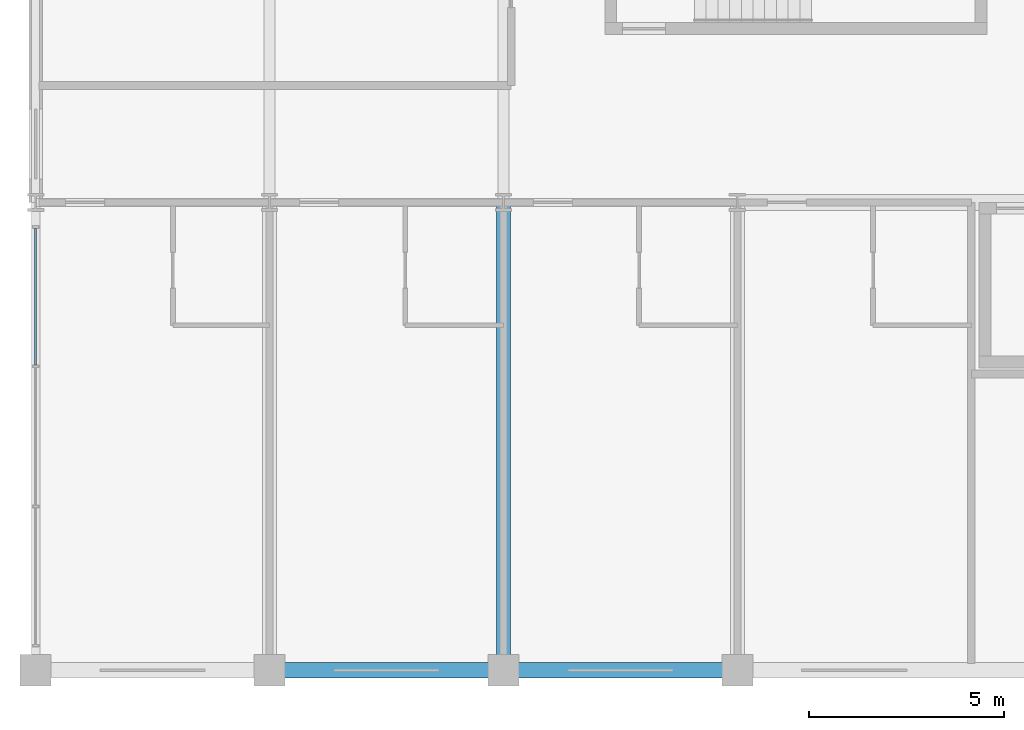
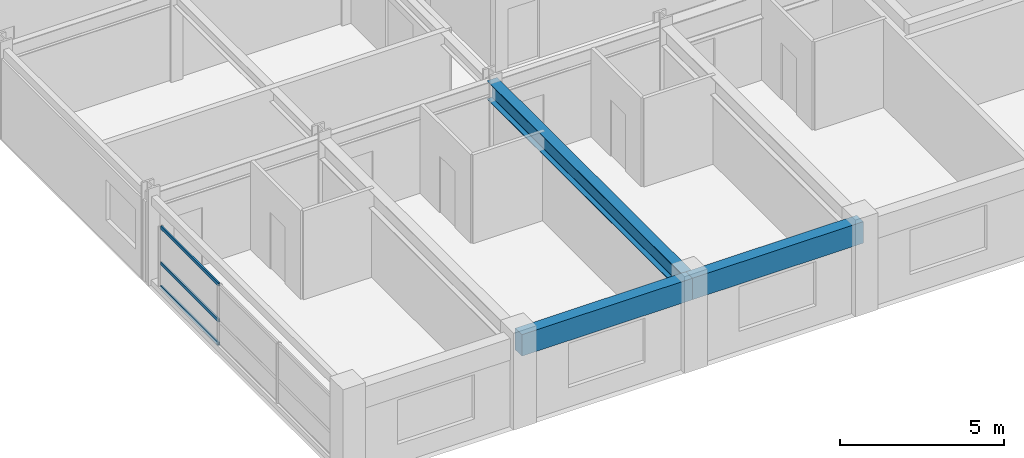
# One storey, part 3 of 26: 3 beams, 3 members, 1 element without a shape of its own.
"""IFC4 building model written with IfcOpenShell, lengths in metres."""

import ifcopenshell
import ifcopenshell.guid

model = None  # the IFC model being written
_history = None  # IfcOwnerHistory: only IFC2X3 demands one
_inside = {}  # id of a spatial element -> (the spatial element, [elements in it])
_under = {}  # id of a project, library or spatial element -> (it, [spatial elements below it])
_declared = {}  # id of a project -> (the project, [libraries it declares])
_typed = {}  # id of a type object -> (the type object, [elements of that type])
_made_of = {}  # id of a material, layer set ... -> (it, [elements and type objects made of it])


def new_model(schema):
    """Start an empty IFC model of exactly this schema.

    Asked for "IFC4X3", IfcOpenShell would pick the latest addendum, in which some entities
    have other attributes; the version numbers below select the first issue.
    IFC2X3 requires an IfcOwnerHistory on every rooted entity: one is made here for all.
    """
    global model, _history
    if schema == "IFC4X3":
        model = ifcopenshell.file(schema_version=(4, 3, 0, 0))
    else:
        model = ifcopenshell.file(schema=schema)
    _inside.clear()
    _under.clear()
    _declared.clear()
    _typed.clear()
    _made_of.clear()
    _history = None
    if model.schema == "IFC2X3":
        org = make("IfcOrganization", Name="unknown")
        user = make(
            "IfcPersonAndOrganization",
            ThePerson=make("IfcPerson", FamilyName="unknown"),
            TheOrganization=org,
        )
        app = make(
            "IfcApplication",
            ApplicationDeveloper=org,
            Version="unknown",
            ApplicationFullName="unknown",
            ApplicationIdentifier="unknown",
        )
        _history = make(
            "IfcOwnerHistory",
            OwningUser=user,
            OwningApplication=app,
            ChangeAction="ADDED",
            CreationDate=0,
        )
    return model


def make(cls, **values):
    """One entity of the class cls with the attributes given. An attribute that is None is left unset."""
    return model.create_entity(
        cls, **{name: value for name, value in values.items() if value is not None}
    )


def rooted(cls, **values):
    """An entity with a GlobalId (a new one), such as an element, a storey or a relation."""
    return make(cls, GlobalId=ifcopenshell.guid.new(), OwnerHistory=_history, **values)


def si_unit(unit_type, name, prefix=None):
    """IfcSIUnit, for example si_unit("LENGTHUNIT", "METRE", prefix="MILLI")."""
    return make("IfcSIUnit", UnitType=unit_type, Prefix=prefix, Name=name)


def assignment(units):
    """IfcUnitAssignment: the units of a project."""
    return None if units is None else make("IfcUnitAssignment", Units=units)


def point(xyz):
    """IfcCartesianPoint."""
    return None if xyz is None else make("IfcCartesianPoint", Coordinates=xyz)


def direction(xyz):
    """IfcDirection."""
    return None if xyz is None else make("IfcDirection", DirectionRatios=xyz)


def frame(location, z_axis=None, x_axis=None):
    """IfcAxis2Placement3D, a coordinate frame: its origin and axes. An axis left out is left unset."""
    return make(
        "IfcAxis2Placement3D",
        Location=point(location),
        Axis=direction(z_axis),
        RefDirection=direction(x_axis),
    )


def frame_2d(location, x_axis=None):
    """IfcAxis2Placement2D, a coordinate frame in the plane: its origin and x axis."""
    return make(
        "IfcAxis2Placement2D", Location=point(location), RefDirection=direction(x_axis)
    )


def origin():
    """The frame at (0, 0, 0) with its axes left unset."""
    return frame((0.0, 0.0, 0.0))


def origin_2d():
    """The frame at (0, 0) in the plane with its x axis left unset."""
    return frame_2d((0.0, 0.0))


def place(relative_to, where):
    """IfcLocalPlacement: puts the frame where relative to a parent placement (None: the world)."""
    return make(
        "IfcLocalPlacement", PlacementRelTo=relative_to, RelativePlacement=where
    )


def context(
    kind, dimensions, precision=None, world=None, true_north=None, identifier=None
):
    """IfcGeometricRepresentationContext, for example the 3D "Model" context."""
    return make(
        "IfcGeometricRepresentationContext",
        ContextIdentifier=identifier,
        ContextType=kind,
        CoordinateSpaceDimension=dimensions,
        Precision=precision,
        WorldCoordinateSystem=world,
        TrueNorth=true_north,
    )


def subcontext(parent, identifier, kind, view, scale=None):
    """IfcGeometricRepresentationSubContext, for example "Body" below "Model"."""
    return make(
        "IfcGeometricRepresentationSubContext",
        ContextIdentifier=identifier,
        ContextType=kind,
        ParentContext=parent,
        TargetScale=scale,
        TargetView=view,
    )


def project(units=None, contexts=None):
    """IfcProject with its units and contexts."""
    return rooted(
        "IfcProject",
        Name="project",
        RepresentationContexts=contexts,
        UnitsInContext=assignment(units),
    )


def spatial(cls, under=None, at=None, **own):
    """A site, building, storey or space (cls), placed at a placement, below another one or the project."""
    s = rooted(cls, ObjectPlacement=at, **own)
    if under is not None:
        _under.setdefault(under.id(), (under, []))[1].append(s)
    return s


def profile(cls, at=None, kind="AREA", **sizes):
    """A parametric profile (cls). Its sizes go by their IFC names, for example OverallWidth=200.0."""
    return make(cls, ProfileType=kind, Position=at, **sizes)


def rectangle(**sizes):
    """IfcRectangleProfileDef."""
    return profile("IfcRectangleProfileDef", **sizes)


def hollow_rectangle(**sizes):
    """IfcRectangleHollowProfileDef."""
    return profile("IfcRectangleHollowProfileDef", **sizes)


def i_section(**sizes):
    """IfcIShapeProfileDef."""
    return profile("IfcIShapeProfileDef", **sizes)


def extrude(swept, where, along, depth):
    """IfcExtrudedAreaSolid: the profile swept, set in the frame where, extruded along a direction by depth."""
    return make(
        "IfcExtrudedAreaSolid",
        SweptArea=swept,
        Position=where,
        ExtrudedDirection=direction(along),
        Depth=depth,
    )


def shape(context_of_items, identifier, shape_type, items):
    """IfcShapeRepresentation: the items that make up one representation, for example the "Body"."""
    return make(
        "IfcShapeRepresentation",
        ContextOfItems=context_of_items,
        RepresentationIdentifier=identifier,
        RepresentationType=shape_type,
        Items=items,
    )


def material(Name=None, Category=None):
    """IfcMaterial."""
    return make("IfcMaterial", Name=Name, Category=Category)


def material_profile(
    of_material, cross_section, Name=None, Category=None, Priority=None
):
    """IfcMaterialProfile: a cross section and its material."""
    return make(
        "IfcMaterialProfile",
        Name=Name,
        Material=of_material,
        Profile=cross_section,
        Priority=Priority,
        Category=Category,
    )


def profile_set(profiles, Name=None, composite=None):
    """IfcMaterialProfileSet."""
    return make(
        "IfcMaterialProfileSet",
        Name=Name,
        MaterialProfiles=profiles,
        CompositeProfile=composite,
    )


def made_of(thing, what):
    """Note that an element or type object is made of a material, layer set ...; save() writes the relation."""
    if what is not None:
        _made_of.setdefault(what.id(), (what, []))[1].append(thing)
    return thing


def type_object(cls, material=None, **own):
    """A type object (cls), such as IfcWallType, which elements share."""
    return made_of(rooted(cls, **own), material)


def element(
    cls,
    number,
    at=None,
    inside=None,
    cuts=None,
    type_object=None,
    material=None,
    context=None,
    identifier="Body",
    shape_type=None,
    held_by="IfcProductDefinitionShape",
    body=None,
    shapes=None,
    **own,
):
    """One element of the class cls, such as IfcWall. Its Tag is "e" and its number.

    at: its placement. inside: the storey or other place that contains it. cuts: it is an
    opening in that element (IfcRelVoidsElement). A single representation is given by context,
    identifier, shape_type and body (its items); several are given by shapes. held_by: the class
    of the entity that holds the representations. save() writes the other relations.
    """
    e = rooted(cls, Tag="e%d" % number, ObjectPlacement=at, **own)
    if body is not None:
        shapes = [shape(context, identifier, shape_type, body)]
    if shapes is not None:
        e.Representation = make(held_by, Representations=shapes)
    if inside is not None:
        _inside.setdefault(inside.id(), (inside, []))[1].append(e)
    if cuts is not None:
        rooted(
            "IfcRelVoidsElement", RelatingBuildingElement=cuts, RelatedOpeningElement=e
        )
    if type_object is not None:
        _typed.setdefault(type_object.id(), (type_object, []))[1].append(e)
    return made_of(e, material)


def aggregate(whole, parts):
    """IfcRelAggregates: a whole, such as a stair, and the parts it consists of."""
    return rooted("IfcRelAggregates", RelatingObject=whole, RelatedObjects=parts)


def save(model, path):
    """Write the relations noted so far, then the file.

    IfcRelAggregates (storeys below a building ...), IfcRelContainedInSpatialStructure (elements
    in a storey), IfcRelDefinesByType, IfcRelAssociatesMaterial and IfcRelDeclares: one each for
    every whole, place, type object, material and project.
    """
    for whole, parts in _under.values():
        aggregate(whole, parts)
    for where, things in _inside.values():
        rooted(
            "IfcRelContainedInSpatialStructure",
            RelatedElements=things,
            RelatingStructure=where,
        )
    for kind, things in _typed.values():
        rooted("IfcRelDefinesByType", RelatedObjects=things, RelatingType=kind)
    for what, things in _made_of.values():
        rooted("IfcRelAssociatesMaterial", RelatedObjects=things, RelatingMaterial=what)
    for by, libraries in _declared.values():
        rooted("IfcRelDeclares", RelatingContext=by, RelatedDefinitions=libraries)
    model.write(path)


model = new_model("IFC4")

# Units and contexts
model_context = context("Model", 3, precision=1e-05, world=origin(), true_north=direction((0.0, 1.0)))
body_context = subcontext(model_context, "Body", "Model", "MODEL_VIEW")
ifc_project = project(units=[si_unit("LENGTHUNIT", "METRE"), si_unit("AREAUNIT", "SQUARE_METRE"), si_unit("VOLUMEUNIT", "CUBIC_METRE"), si_unit("PLANEANGLEUNIT", "RADIAN"), si_unit("MASSUNIT", "GRAM", prefix="KILO")], contexts=[model_context])

# Site, building, storey
site_placement = place(None, origin())
site = spatial("IfcSite", under=ifc_project, at=site_placement, CompositionType="ELEMENT")
building_placement = place(site_placement, origin())
building = spatial("IfcBuilding", under=site, at=building_placement, Name="Kaldorvane Square Convention Centre", CompositionType="ELEMENT")
storey_placement = place(building_placement, frame((0.0, 0.0, 42.0)))
storey = spatial("IfcBuildingStorey", under=building, at=storey_placement, Name="L09", CompositionType="ELEMENT", Elevation=42.0)

# Beams
ifc_material_1 = material(Name="Steel ASTM A992 Gr. 50", Category="steel")
ifc_material_profile_1 = material_profile(ifc_material_1, i_section(OverallWidth=0.354705810546875, OverallDepth=0.69549560546875, WebThickness=0.0153961181640625, FlangeThickness=0.0251007080078125, FilletRadius=0.01519775390625, at=origin_2d()), Name="W27X146")
ifc_profile_set_1 = profile_set([ifc_material_profile_1], Name="Steel ASTM A992 Gr. 50")
beam_type_1 = type_object("IfcBeamType", Name="BM-GR-W27X146", PredefinedType="BEAM", material=ifc_profile_set_1)
beam_placement = place(storey_placement, frame((36.0, 84.0, 2.93829345703125), z_axis=(0.0, 1.0, 0.0), x_axis=(-1.0, 0.0, 0.0)))
element("IfcBeam", 1, at=beam_placement, inside=storey, type_object=beam_type_1, Name="Transverse Girder (L09)", PredefinedType="BEAM", context=body_context, shape_type="SweptSolid", body=[
    extrude(i_section(OverallWidth=0.354705810546875, OverallDepth=0.69549560546875, WebThickness=0.0153961181640625, FlangeThickness=0.0251007080078125, FilletRadius=0.01519775390625, at=origin_2d()), origin(), (0.0, 0.0, 1.0), 12.0),
])
ifc_material_2 = material(Name="Concrete f'c = 42 MPa (Normalweight)", Category="concrete")
ifc_material_profile_2 = material_profile(ifc_material_2, rectangle(XDim=0.399993896484375, YDim=0.8000030517578125, at=origin_2d()), Name="RCSP800X400")
ifc_profile_set_2 = profile_set([ifc_material_profile_2], Name="Concrete f'c = 42 MPa (Normalweight)")
beam_type_2 = type_object("IfcBeamType", Name="BM-SP-RC800", PredefinedType="SPANDREL", material=ifc_profile_set_2)
for number, where, z_axis, x_axis, name in (
    (2, (30.0, 84.0, 2.8860015869140625), (1.0, 0.0, 0.0), (0.0, 1.0, 0.0), "Perimeter Spandrel (L09)"),
    (3, (36.0, 84.0, 2.8860015869140625), (1.0, 0.0, 0.0), (0.0, 1.0, 0.0), "Perimeter Spandrel (L09)"),
):
    element("IfcBeam", number, at=place(storey_placement, frame(where, z_axis=z_axis, x_axis=x_axis)), inside=storey, type_object=beam_type_2, Name=name, PredefinedType="SPANDREL", context=body_context, shape_type="SweptSolid", body=[
        extrude(rectangle(XDim=0.399993896484375, YDim=0.8000030517578125, at=origin_2d()), origin(), (0.0, 0.0, 1.0), 6.0),
    ])

# Curtain wall, members
ifc_material_3 = material(Name="Anodized Aluminum and Low-E Insulated Glazing", Category="aluminium")
curtain_wall_type = type_object("IfcCurtainWallType", Name="CW-UNI-HTL-B", PredefinedType="USERDEFINED", material=ifc_material_3)
curtain_wall_placement = place(storey_placement, origin())
curtain_wall = element("IfcCurtainWall", 4, at=curtain_wall_placement, inside=storey, type_object=curtain_wall_type, Name="Curtain Wall CW-11 (L09)", ObjectType="UNITISED GLAZING", PredefinedType="USERDEFINED")
ifc_material_profile_3 = material_profile(ifc_material_3, hollow_rectangle(XDim=0.05499267578125, YDim=0.1199951171875, WallThickness=0.0030059814453125, at=origin_2d()), Name="CWT-120X55")
ifc_profile_set_3 = profile_set([ifc_material_profile_3], Name="Anodized Aluminum and Low-E Insulated Glazing")
member_type = type_object("IfcMemberType", Name="CW-TRN-120", PredefinedType="USERDEFINED", material=ifc_profile_set_3)
member_1_placement = place(storey_placement, frame((24.0, 95.33999633789062, 0.1775054931640625), z_axis=(0.0, -1.0, 0.0), x_axis=(1.0, 0.0, 0.0)))
member_1 = element("IfcMember", 5, at=member_1_placement, type_object=member_type, Name="CW-11 transom 1.1", ObjectType="TRANSOM", PredefinedType="USERDEFINED", context=body_context, shape_type="SweptSolid", body=[
    extrude(hollow_rectangle(XDim=0.05499267578125, YDim=0.1199951171875, WallThickness=0.0030059814453125, at=origin_2d()), origin(), (0.0, 0.0, 1.0), 3.5099945068359375),
])
member_2_placement = place(storey_placement, frame((24.0, 95.33999633789062, 1.0500030517578125), z_axis=(0.0, -1.0, 0.0), x_axis=(1.0, 0.0, 0.0)))
member_2 = element("IfcMember", 6, at=member_2_placement, type_object=member_type, Name="CW-11 transom 1.2", ObjectType="TRANSOM", PredefinedType="USERDEFINED", context=body_context, shape_type="SweptSolid", body=[
    extrude(hollow_rectangle(XDim=0.05499267578125, YDim=0.1199951171875, WallThickness=0.0030059814453125, at=origin_2d()), origin(), (0.0, 0.0, 1.0), 3.5099945068359375),
])
member_3_placement = place(storey_placement, frame((24.0, 95.33999633789062, 2.38250732421875), z_axis=(0.0, -1.0, 0.0), x_axis=(1.0, 0.0, 0.0)))
member_3 = element("IfcMember", 7, at=member_3_placement, type_object=member_type, Name="CW-11 transom 1.3", ObjectType="TRANSOM", PredefinedType="USERDEFINED", context=body_context, shape_type="SweptSolid", body=[
    extrude(hollow_rectangle(XDim=0.05499267578125, YDim=0.1199951171875, WallThickness=0.0030059814453125, at=origin_2d()), origin(), (0.0, 0.0, 1.0), 3.5099945068359375),
])
aggregate(curtain_wall, [member_1, member_2, member_3])

save(model, "model.ifc")
